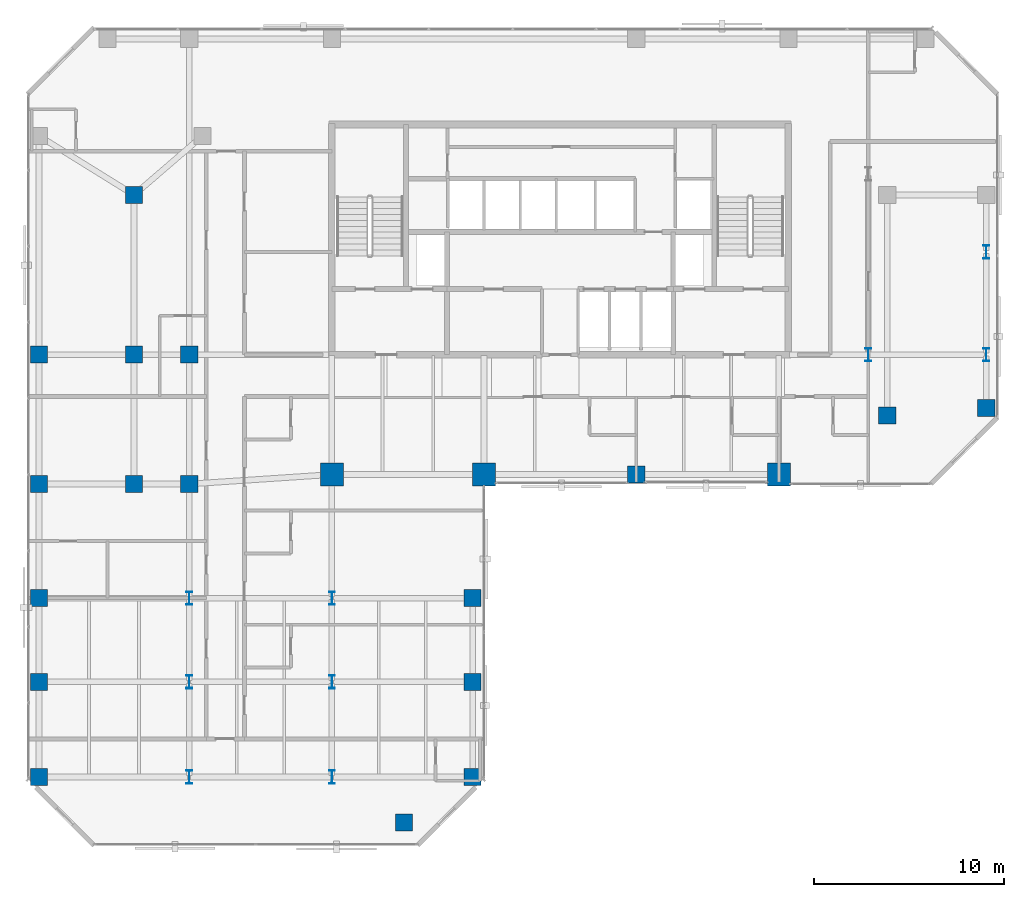
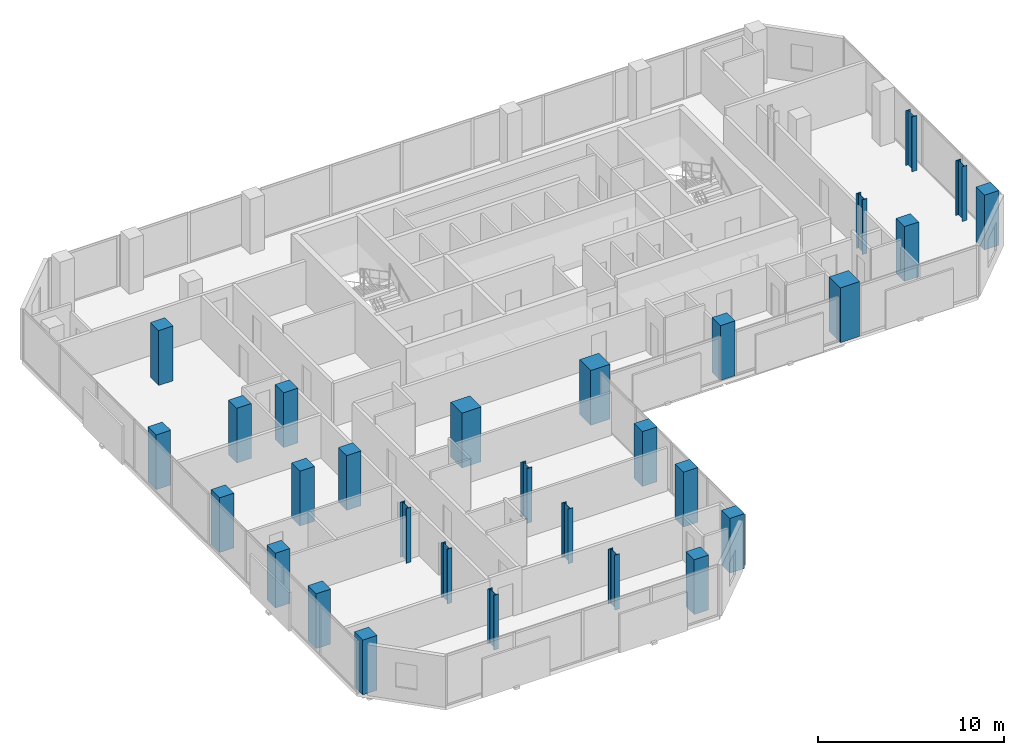
# One storey, part 1 of 34: 29 columns.
"""IFC4 building model written with IfcOpenShell, lengths in metres."""

from ifc_helpers import new_model, si_unit, direction, frame, origin, origin_2d, place, context, subcontext, project, spatial, rectangle, i_section, extrude, material, material_profile, profile_set, type_object, element, save


model = new_model("IFC4")

# Units and contexts
model_context = context("Model", 3, precision=1e-05, world=origin(), true_north=direction((0.0, 1.0)))
body_context = subcontext(model_context, "Body", "Model", "MODEL_VIEW")
ifc_project = project(units=[si_unit("LENGTHUNIT", "METRE"), si_unit("AREAUNIT", "SQUARE_METRE"), si_unit("VOLUMEUNIT", "CUBIC_METRE"), si_unit("PLANEANGLEUNIT", "RADIAN"), si_unit("MASSUNIT", "GRAM", prefix="KILO")], contexts=[model_context])

# Site, building, storey
site_placement = place(None, origin())
site = spatial("IfcSite", under=ifc_project, at=site_placement, CompositionType="ELEMENT")
building_placement = place(site_placement, origin())
building = spatial("IfcBuilding", under=site, at=building_placement, Name="Catumbela Crestline Tower", CompositionType="ELEMENT")
storey_placement = place(building_placement, frame((0.0, 0.0, 97.2)))
storey = spatial("IfcBuildingStorey", under=building, at=storey_placement, Name="L24", CompositionType="ELEMENT", Elevation=97.2)

# Columns
ifc_material_1 = material(Name="Concrete C50/60", Category="concrete")
ifc_material_profile_1 = material_profile(ifc_material_1, rectangle(XDim=1.2, YDim=1.2, at=origin_2d()), Name="RC 1200x1200")
ifc_profile_set_1 = profile_set([ifc_material_profile_1], Name="Concrete C50/60")
column_type_1 = type_object("IfcColumnType", Name="C-RC1200-C50", PredefinedType="COLUMN", material=ifc_profile_set_1)
for number, where, z_axis, x_axis, name in (
    (1, (16.0, 24.5, 0.0), (0.0, 0.0, 1.0), (1.0, 0.0, 0.0), "L24 Column C-16-24 (RC 1200x1200)"),
    (2, (24.0, 24.5, 0.0), (0.0, 0.0, 1.0), (1.0, 0.0, 0.0), "L24 Column C-24-24 (RC 1200x1200)"),
    (3, (39.5, 24.5, 0.0), (0.0, 0.0, 1.0), (1.0, 0.0, 0.0), "L24 Column C-40-24 (RC 1200x1200)"),
):
    element("IfcColumn", number, at=place(storey_placement, frame(where, z_axis=z_axis, x_axis=x_axis)), inside=storey, type_object=column_type_1, Name=name, PredefinedType="COLUMN", context=body_context, shape_type="SweptSolid", body=[
        extrude(rectangle(XDim=1.2, YDim=1.2, at=origin_2d()), origin(), (0.0, 0.0, 1.0), 3.6),
    ])
ifc_material_profile_2 = material_profile(ifc_material_1, rectangle(XDim=0.9, YDim=0.9, at=origin_2d()), Name="RC 900x900")
ifc_profile_set_2 = profile_set([ifc_material_profile_2], Name="Concrete C50/60")
column_type_2 = type_object("IfcColumnType", Name="C-RC900-C50", PredefinedType="COLUMN", material=ifc_profile_set_2)
for number, where, z_axis, x_axis, name in (
    (4, (8.5, 24.0, 0.0), (0.0, 0.0, 1.0), (1.0, 0.0, 0.0), "L24 Column C-08-24 (RC 900x900)"),
    (5, (32.0, 24.5, 0.0), (0.0, 0.0, 1.0), (1.0, 0.0, 0.0), "L24 Column C-32-24 (RC 900x900)"),
    (6, (5.6, 24.0, 0.0), (0.0, 0.0, 1.0), (1.0, 0.0, 0.0), "L24 Column C-05-24 (RC 900x900)"),
    (7, (5.6, 30.8, 0.0), (0.0, 0.0, 1.0), (1.0, 0.0, 0.0), "L24 Column C-05-31 (RC 900x900)"),
    (8, (5.6, 39.2, 0.0), (0.0, 0.0, 1.0), (1.0, 0.0, 0.0), "L24 Column C-05-43 (RC 900x900)"),
    (9, (8.5, 30.8, 0.0), (0.0, 0.0, 1.0), (1.0, 0.0, 0.0), "L24 Column C-08-31 (RC 900x900)"),
    (10, (45.2, 27.6, 0.0), (0.0, 0.0, 1.0), (1.0, 0.0, 0.0), "L24 Column C-46-24 (RC 900x900)"),
    (11, (0.6, 24.0, 0.0), (0.0, 0.0, 1.0), (1.0, 0.0, 0.0), "L24 Column C-00-24 (RC 900x900)"),
    (12, (0.6, 30.8, 0.0), (0.0, 0.0, 1.0), (1.0, 0.0, 0.0), "L24 Column C-00-31 (RC 900x900)"),
    (13, (50.4, 28.0, 0.0), (0.0, 0.0, 1.0), (1.0, 0.0, 0.0), "L24 Column C-51-24 (RC 900x900)"),
    (14, (0.6, 8.6, 0.0), (0.0, 0.0, 1.0), (1.0, 0.0, 0.0), "L24 Column C-00-05 (RC 900x900)"),
    (15, (0.6, 13.6, 0.0), (0.0, 0.0, 1.0), (1.0, 0.0, 0.0), "L24 Column C-00-10 (RC 900x900)"),
    (16, (0.6, 18.0, 0.0), (0.0, 0.0, 1.0), (1.0, 0.0, 0.0), "L24 Column C-00-16 (RC 900x900)"),
    (17, (19.8, 6.2, 0.0), (0.0, 0.0, 1.0), (1.0, 0.0, 0.0), "L24 Column C-24-05 (RC 900x900)"),
    (18, (23.4, 8.6, 0.0), (0.0, 0.0, 1.0), (1.0, 0.0, 0.0), "L24 Column C-23-08 (RC 900x900)"),
    (19, (23.4, 13.6, 0.0), (0.0, 0.0, 1.0), (1.0, 0.0, 0.0), "L24 Column C-24-10 (RC 900x900)"),
    (20, (23.4, 18.0, 0.0), (0.0, 0.0, 1.0), (1.0, 0.0, 0.0), "L24 Column C-24-16 (RC 900x900)"),
):
    element("IfcColumn", number, at=place(storey_placement, frame(where, z_axis=z_axis, x_axis=x_axis)), inside=storey, type_object=column_type_2, Name=name, PredefinedType="COLUMN", context=body_context, shape_type="SweptSolid", body=[
        extrude(rectangle(XDim=0.9, YDim=0.9, at=origin_2d()), origin(), (0.0, 0.0, 1.0), 3.6),
    ])
ifc_material_2 = material(Name="Structural steel S460M", Category="steel")
ifc_material_profile_3 = material_profile(ifc_material_2, i_section(OverallWidth=0.3, OverallDepth=0.7, WebThickness=0.017, FlangeThickness=0.032, FilletRadius=0.027, at=origin_2d()), Name="HEB 700")
ifc_profile_set_3 = profile_set([ifc_material_profile_3], Name="Structural steel S460M")
column_type_3 = type_object("IfcColumnType", Name="C-ST-HEB700", PredefinedType="COLUMN", material=ifc_profile_set_3)
for number, where, z_axis, x_axis, name in (
    (21, (8.5, 8.6, 0.0), (0.0, 0.0, 1.0), (1.0, 0.0, 0.0), "L24 Column CT-05-05 (HEB 700)"),
    (22, (16.0, 8.6, 0.0), (0.0, 0.0, 1.0), (1.0, 0.0, 0.0), "L24 Column CT-14-05 (HEB 700)"),
    (23, (8.5, 13.6, 0.0), (0.0, 0.0, 1.0), (1.0, 0.0, 0.0), "L24 Column CT-05-10 (HEB 700)"),
    (24, (16.0, 13.6, 0.0), (0.0, 0.0, 1.0), (1.0, 0.0, 0.0), "L24 Column CT-14-10 (HEB 700)"),
    (25, (8.5, 18.0, 0.0), (0.0, 0.0, 1.0), (1.0, 0.0, 0.0), "L24 Column CT-05-16 (HEB 700)"),
    (26, (16.0, 18.0, 0.0), (0.0, 0.0, 1.0), (1.0, 0.0, 0.0), "L24 Column CT-14-16 (HEB 700)"),
    (27, (44.2, 30.8, 0.0), (0.0, 0.0, 1.0), (1.0, 0.0, 0.0), "L24 Column CT-46-31 (HEB 700)"),
    (28, (50.4, 30.8, 0.0), (0.0, 0.0, 1.0), (1.0, 0.0, 0.0), "L24 Column CT-51-31 (HEB 700)"),
    (29, (50.4, 36.2, 0.0), (0.0, 0.0, 1.0), (1.0, 0.0, 0.0), "L24 Column CT-51-37 (HEB 700)"),
):
    element("IfcColumn", number, at=place(storey_placement, frame(where, z_axis=z_axis, x_axis=x_axis)), inside=storey, type_object=column_type_3, Name=name, PredefinedType="COLUMN", context=body_context, shape_type="SweptSolid", body=[
        extrude(i_section(OverallWidth=0.3, OverallDepth=0.7, WebThickness=0.017, FlangeThickness=0.032, FilletRadius=0.027, at=origin_2d()), origin(), (0.0, 0.0, 1.0), 3.6),
    ])

save(model, "model.ifc")
